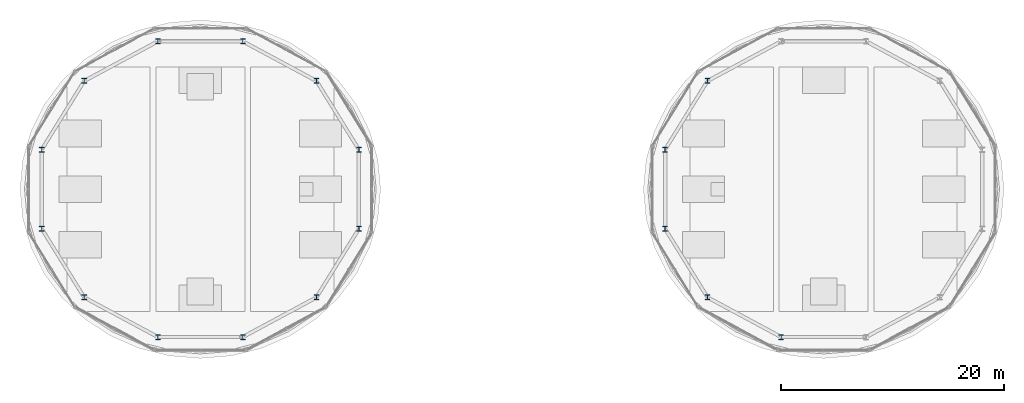
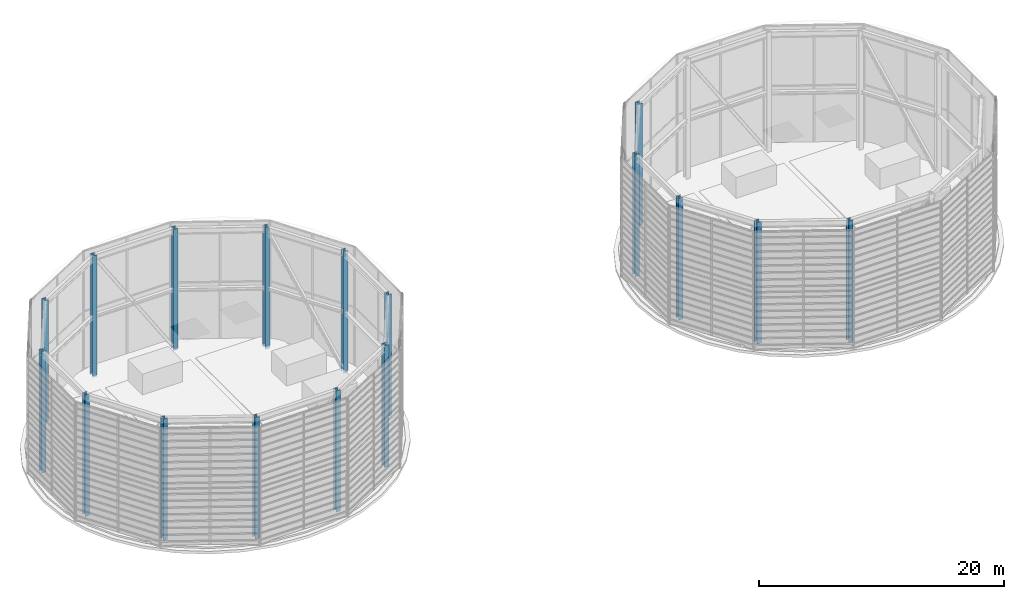
# One storey, part 1 of 17: 17 columns.
"""IFC4 building model written with IfcOpenShell, lengths in metres."""

from ifc_helpers import new_model, si_unit, direction, frame, origin, origin_2d, place, context, subcontext, project, spatial, i_section, extrude, source, transform, mapped, material, material_profile, profile_set, type_object, type_shapes, element, save


model = new_model("IFC4")

# Units and contexts
model_context = context("Model", 3, precision=1e-05, world=origin(), true_north=direction((0.0, 1.0)))
body_context = subcontext(model_context, "Body", "Model", "MODEL_VIEW")
ifc_project = project(units=[si_unit("LENGTHUNIT", "METRE"), si_unit("AREAUNIT", "SQUARE_METRE"), si_unit("VOLUMEUNIT", "CUBIC_METRE"), si_unit("PLANEANGLEUNIT", "RADIAN"), si_unit("MASSUNIT", "GRAM", prefix="KILO")], contexts=[model_context])

# Site, building, storey
site_placement = place(None, origin())
site = spatial("IfcSite", under=ifc_project, at=site_placement, CompositionType="ELEMENT")
building_placement = place(site_placement, origin())
building = spatial("IfcBuilding", under=site, at=building_placement, Name="Norrkilde Senior Care Towers", CompositionType="ELEMENT")
storey_placement = place(building_placement, frame((0.0, 0.0, 249.85009765625)))
storey = spatial("IfcBuildingStorey", under=building, at=storey_placement, Name="RF", CompositionType="ELEMENT", Elevation=249.85009765625)

# Columns
ifc_material = material(Name="Steel S355", Category="steel")
ifc_material_profile = material_profile(ifc_material, i_section(OverallWidth=0.412109375, OverallDepth=0.449951171875, WebThickness=0.028076171875, FlangeThickness=0.044921875, FilletRadius=0.014892578125, at=origin_2d()), Name="HD 400x509")
ifc_profile_set = profile_set([ifc_material_profile], Name="Steel S355")
column_type = type_object("IfcColumnType", Name="Column Crown Frame Post", PredefinedType="COLUMN", material=ifc_profile_set)
shared_shape = source(origin(), body_context, "Body", "SweptSolid", [
    extrude(i_section(OverallWidth=0.412109375, OverallDepth=0.449951171875, WebThickness=0.028076171875, FlangeThickness=0.044921875, FilletRadius=0.014892578125, at=origin_2d()), origin(), (0.0, 0.0, 1.0), 12.10986328125),
])
type_shapes(column_type, [shared_shape])
for number, where, z_axis, x_axis, name in (
    (1, (-13.752685546875, 3.558837890625, 0.0), (0.0, 0.0, 1.0), (1.0, 0.0, 0.0), "RF Drum W Crown Ring Post 01 CROWN FRAME"),
    (2, (-17.570068359375, 9.72265625, 0.0), (0.0, 0.0, 1.0), (1.0, 0.0, 0.0), "RF Drum W Crown Ring Post 02 CROWN FRAME"),
    (3, (-24.182373046875, 13.281494140625, 0.0), (0.0, 0.0, 1.0), (1.0, 0.0, 0.0), "RF Drum W Crown Ring Post 03 CROWN FRAME"),
    (4, (-31.817626953125, 13.281494140625, 0.0), (0.0, 0.0, 1.0), (1.0, 0.0, 0.0), "RF Drum W Crown Ring Post 04 CROWN FRAME"),
    (5, (-38.429931640625, 9.72265625, 0.0), (0.0, 0.0, 1.0), (1.0, 0.0, 0.0), "RF Drum W Crown Ring Post 05 CROWN FRAME"),
    (6, (-42.247314453125, 3.558837890625, 0.0), (0.0, 0.0, 1.0), (1.0, 0.0, 0.0), "RF Drum W Crown Ring Post 06 CROWN FRAME"),
    (7, (-42.247314453125, -3.558837890625, 0.0), (0.0, 0.0, 1.0), (1.0, 0.0, 0.0), "RF Drum W Crown Ring Post 07 CROWN FRAME"),
    (8, (-38.429931640625, -9.72265625, 0.0), (0.0, 0.0, 1.0), (1.0, 0.0, 0.0), "RF Drum W Crown Ring Post 08 CROWN FRAME"),
    (9, (-31.817626953125, -13.281494140625, 0.0), (0.0, 0.0, 1.0), (1.0, 0.0, 0.0), "RF Drum W Crown Ring Post 09 CROWN FRAME"),
    (10, (-24.182373046875, -13.281494140625, 0.0), (0.0, 0.0, 1.0), (1.0, 0.0, 0.0), "RF Drum W Crown Ring Post 10 CROWN FRAME"),
    (11, (-17.570068359375, -9.72265625, 0.0), (0.0, 0.0, 1.0), (1.0, 0.0, 0.0), "RF Drum W Crown Ring Post 11 CROWN FRAME"),
    (12, (-13.752685546875, -3.558837890625, 0.0), (0.0, 0.0, 1.0), (1.0, 0.0, 0.0), "RF Drum W Crown Ring Post 12 CROWN FRAME"),
    (13, (17.570068359375, 9.72265625, 0.0), (0.0, 0.0, 1.0), (1.0, 0.0, 0.0), "RF Drum E Crown Ring Post 05 CROWN FRAME"),
    (14, (13.752685546875, 3.558837890625, 0.0), (0.0, 0.0, 1.0), (1.0, 0.0, 0.0), "RF Drum E Crown Ring Post 06 CROWN FRAME"),
    (15, (13.752685546875, -3.558837890625, 0.0), (0.0, 0.0, 1.0), (1.0, 0.0, 0.0), "RF Drum E Crown Ring Post 07 CROWN FRAME"),
    (16, (17.570068359375, -9.72265625, 0.0), (0.0, 0.0, 1.0), (1.0, 0.0, 0.0), "RF Drum E Crown Ring Post 08 CROWN FRAME"),
    (17, (24.182373046875, -13.281494140625, 0.0), (0.0, 0.0, 1.0), (1.0, 0.0, 0.0), "RF Drum E Crown Ring Post 09 CROWN FRAME"),
):
    element("IfcColumn", number, at=place(storey_placement, frame(where, z_axis=z_axis, x_axis=x_axis)), inside=storey, type_object=column_type, Name=name, PredefinedType="COLUMN", context=body_context, shape_type="MappedRepresentation", body=[
        mapped(shared_shape, transform((0.0, 0.0, 0.0), x_axis=(1.0, 0.0, 0.0), y_axis=(0.0, 1.0, 0.0), z_axis=(0.0, 0.0, 1.0), scale=1.0)),
    ])

save(model, "model.ifc")
